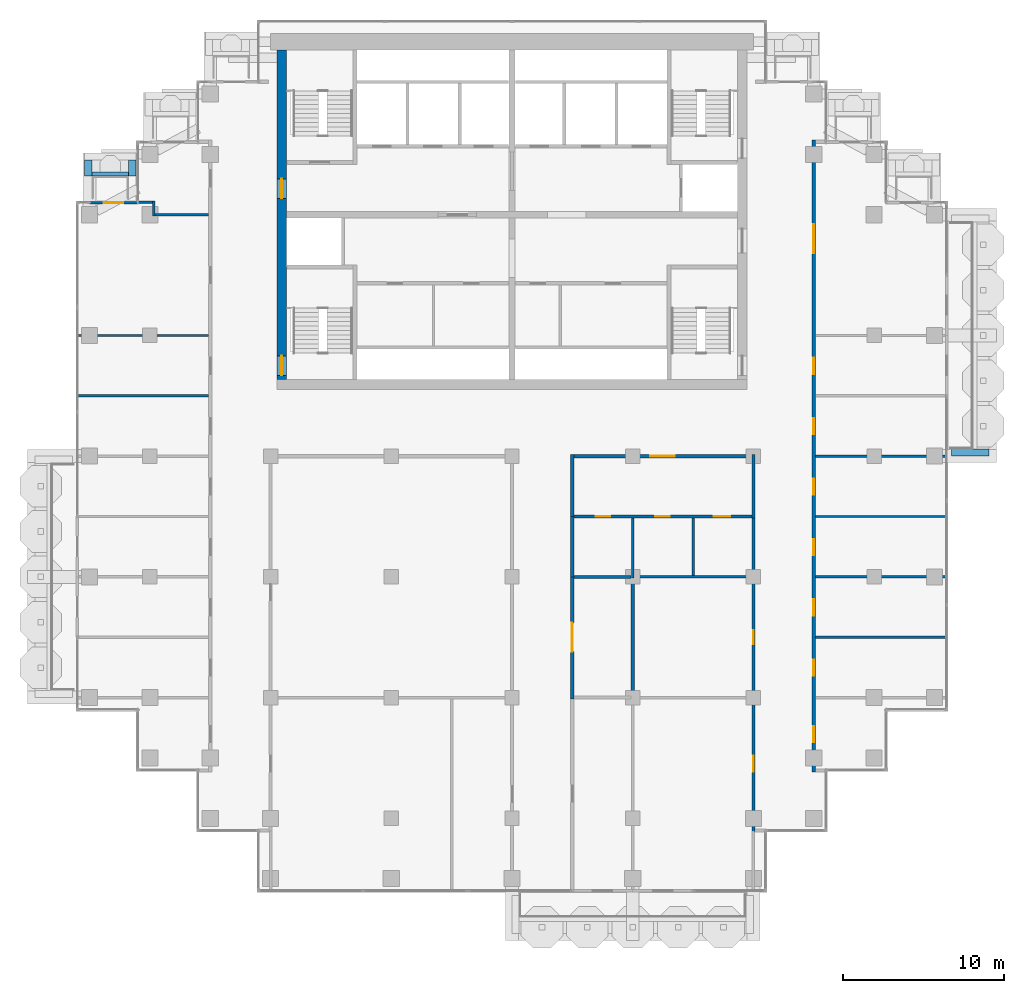
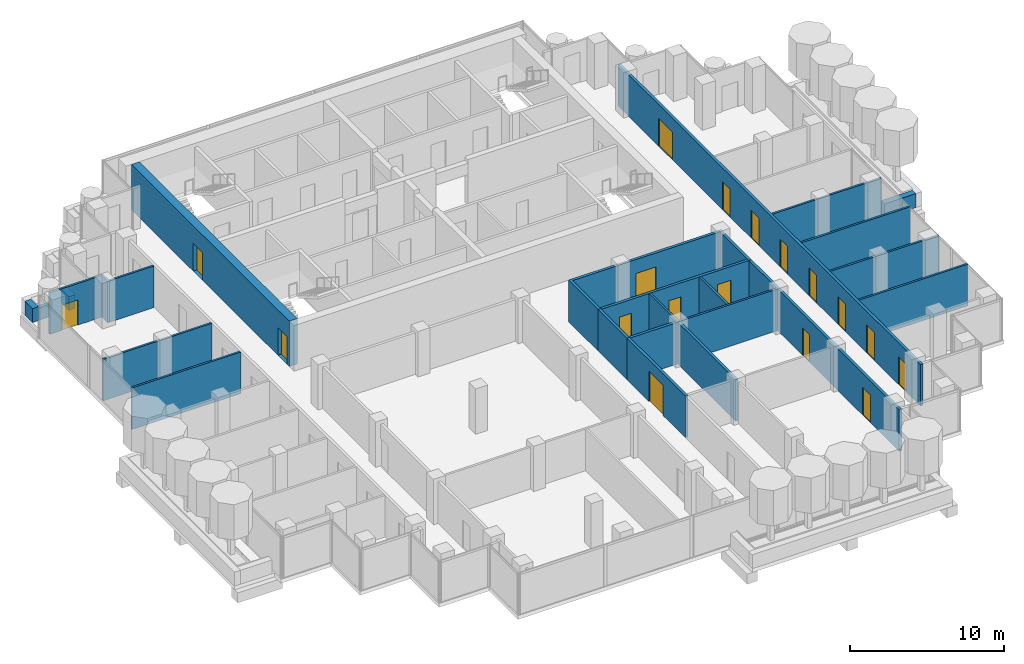
# One storey, part 12 of 19: 28 walls, 18 doors, 18 openings.
"""IFC4 building model written with IfcOpenShell, lengths in metres."""

from ifc_helpers import new_model, si_unit, direction, frame, frame_2d, origin, place, context, subcontext, project, spatial, rectangle, extrude, material, layer, layer_set, type_object, element, fill, save


model = new_model("IFC4")

# Units and contexts
model_context = context("Model", 3, precision=1e-05, world=origin(), true_north=direction((0.0, 1.0)))
body_context = subcontext(model_context, "Body", "Model", "MODEL_VIEW")
ifc_project = project(units=[si_unit("LENGTHUNIT", "METRE"), si_unit("AREAUNIT", "SQUARE_METRE"), si_unit("VOLUMEUNIT", "CUBIC_METRE"), si_unit("PLANEANGLEUNIT", "RADIAN"), si_unit("MASSUNIT", "GRAM", prefix="KILO")], contexts=[model_context])

# Site, building, storey
site_placement = place(None, origin())
site = spatial("IfcSite", under=ifc_project, at=site_placement, CompositionType="ELEMENT")
building_placement = place(site_placement, origin())
building = spatial("IfcBuilding", under=site, at=building_placement, Name="Pilkhan Gate Tower", CompositionType="ELEMENT")
storey_placement = place(building_placement, frame((0.0, 0.0, 217.5)))
storey = spatial("IfcBuildingStorey", under=building, at=storey_placement, Name="L56", CompositionType="ELEMENT", Elevation=217.5)

# Walls
ifc_material_1 = material(Name="Concrete C40/50", Category="concrete")
ifc_layer_1 = layer(ifc_material_1, 0.25)
ifc_layer_set_1 = layer_set([ifc_layer_1], Name="Balcony planter BP250")
wall_type_1 = type_object("IfcWallType", Name="Balcony planter BP250", PredefinedType="USERDEFINED", material=ifc_layer_set_1)
wall_1_placement = place(storey_placement, frame((48.89990234375, 85.02490234375, 0.0), z_axis=(0.0, 0.0, 1.0), x_axis=(1.0, 0.0, 0.0)))
element("IfcWall", 1, at=wall_1_placement, inside=storey, type_object=wall_type_1, Name="Balcony planter L56 N", ObjectType="BALCONY PLANTER", PredefinedType="USERDEFINED", context=body_context, shape_type="SweptSolid", body=[
    extrude(rectangle(XDim=2.280029296875, YDim=0.25, at=frame_2d((1.14013671875, 0.0))), origin(), (0.0, 0.0, 1.0), 1.0),
])
ifc_material_2 = material(Name="Board-marked Concrete C40/50", Category="concrete")
ifc_layer_2 = layer(ifc_material_2, 0.449951171875)
ifc_layer_set_2 = layer_set([ifc_layer_2], Name="Balcony planter lip BL450")
wall_type_2 = type_object("IfcWallType", Name="Balcony planter lip BL450", PredefinedType="USERDEFINED", material=ifc_layer_set_2)
wall_2_placement = place(storey_placement, frame((102.300048828125, 67.72509765625, 0.0), z_axis=(0.0, 0.0, 1.0), x_axis=(1.0, 0.0, 0.0)))
element("IfcWall", 2, at=wall_2_placement, inside=storey, type_object=wall_type_2, Name="Balcony planter L56 E", ObjectType="BALCONY PLANTER", PredefinedType="USERDEFINED", context=body_context, shape_type="SweptSolid", body=[
    extrude(rectangle(XDim=2.349853515625, YDim=0.449951171875, at=frame_2d((1.1748046875, 0.0))), origin(), (0.0, 0.0, 1.0), 1.10009765625),
])
for number, where, z_axis, x_axis, name in (
    (3, (48.675048828125, 84.89990234375, 0.0), (0.0, 0.0, 1.0), (0.0, 1.0, 0.0), "Balcony planter L56 N"),
    (4, (51.405029296875, 84.89990234375, 0.0), (0.0, 0.0, 1.0), (0.0, 1.0, 0.0), "Balcony planter L56 N"),
):
    element("IfcWall", number, at=place(storey_placement, frame(where, z_axis=z_axis, x_axis=x_axis)), inside=storey, type_object=wall_type_2, Name=name, ObjectType="BALCONY PLANTER", PredefinedType="USERDEFINED", context=body_context, shape_type="SweptSolid", body=[
        extrude(rectangle(XDim=1.0, YDim=0.449951171875, at=frame_2d((0.5, 0.0))), origin(), (0.0, 0.0, 1.0), 1.10009765625),
    ])

# Wall, openings, doors
ifc_material_3 = material(Name="Concrete C50/60", Category="concrete")
ifc_layer_3 = layer(ifc_material_3, 0.60009765625)
ifc_layer_set_3 = layer_set([ifc_layer_3], Name="Core wall CW600 C50/60")
wall_type_3 = type_object("IfcWallType", Name="Core wall CW600 C50/60", PredefinedType="SHEAR", material=ifc_layer_set_3)
wall_3_placement = place(storey_placement, frame((60.699951171875, 92.75, 0.0), z_axis=(0.0, 0.0, 1.0), x_axis=(0.0, -1.0, 0.0)))
wall_3 = element("IfcWall", 5, at=wall_3_placement, inside=storey, type_object=wall_type_3, Name="Core wall W L56", PredefinedType="SHEAR", context=body_context, shape_type="SweptSolid", body=[
    extrude(rectangle(XDim=20.5, YDim=0.60009765625, at=frame_2d((10.25, 0.0))), origin(), (0.0, 0.0, 1.0), 3.60009765625),
])
opening_1_placement = place(wall_3_placement, frame((19.02490234375, 0.0, 0.0)))
opening_1 = element("IfcOpeningElement", 6, at=opening_1_placement, cuts=wall_3, Name="Opening L56-04", PredefinedType="OPENING", context=body_context, shape_type="SweptSolid", body=[
    extrude(rectangle(XDim=1.199951171875, YDim=2.199951171875, at=frame_2d((0.60009765625, 1.10009765625))), frame((0.0, 0.31005859375, 0.0), z_axis=(0.0, -1.0, 0.0), x_axis=(1.0, 0.0, 0.0)), (0.0, 0.0, 1.0), 0.6201171875),
])
opening_2_placement = place(wall_3_placement, frame((8.02490234375, 0.0, 0.0)))
opening_2 = element("IfcOpeningElement", 7, at=opening_2_placement, cuts=wall_3, Name="Opening L56-07", PredefinedType="OPENING", context=body_context, shape_type="SweptSolid", body=[
    extrude(rectangle(XDim=1.199951171875, YDim=2.199951171875, at=frame_2d((0.60009765625, 1.10009765625))), frame((0.0, 0.31005859375, 0.0), z_axis=(0.0, -1.0, 0.0), x_axis=(1.0, 0.0, 0.0)), (0.0, 0.0, 1.0), 0.6201171875),
])
ifc_material_4 = material(Name="Steel door, 120 minute fire resisting, self-closing", Category="steel")
door_type_1 = type_object("IfcDoorType", Name="Firefighting lobby door D10 1200x2200", OperationType="SINGLE_SWING_LEFT", PredefinedType="DOOR", material=ifc_material_4)
door_1_placement = place(opening_2_placement, origin())
door_1 = element("IfcDoor", 8, at=door_1_placement, inside=storey, type_object=door_type_1, Name="Core door", OperationType="SINGLE_SWING_RIGHT", OverallHeight=2.199951171875, OverallWidth=1.199951171875, PredefinedType="DOOR", context=body_context, shape_type="SweptSolid", body=[
    extrude(rectangle(XDim=1.199951171875, YDim=2.199951171875, at=frame_2d((0.60009765625, 1.10009765625))), frame((0.0, 0.02490234375, 0.0), z_axis=(0.0, -1.0, 0.0), x_axis=(1.0, 0.0, 0.0)), (0.0, 0.0, 1.0), 0.050048828125),
])
fill(opening_2, door_1)
ifc_material_5 = material(Name="Steel door, 120 minute fire resisting, panic bar", Category="steel")
door_type_2 = type_object("IfcDoorType", Name="Stair door D11 1200x2200", OperationType="SINGLE_SWING_LEFT", PredefinedType="DOOR", material=ifc_material_5)
door_2_placement = place(opening_1_placement, origin())
door_2 = element("IfcDoor", 9, at=door_2_placement, inside=storey, type_object=door_type_2, Name="Stair ST2 door", OperationType="SINGLE_SWING_LEFT", OverallHeight=2.199951171875, OverallWidth=1.199951171875, PredefinedType="DOOR", context=body_context, shape_type="SweptSolid", body=[
    extrude(rectangle(XDim=1.199951171875, YDim=2.199951171875, at=frame_2d((0.60009765625, 1.10009765625))), frame((0.0, 0.02490234375, 0.0), z_axis=(0.0, -1.0, 0.0), x_axis=(1.0, 0.0, 0.0)), (0.0, 0.0, 1.0), 0.050048828125),
])
fill(opening_1, door_2)

# Wall
ifc_material_6 = material(Name="Dense blockwork", Category="masonry")
ifc_layer_4 = layer(ifc_material_6, 0.199951171875)
ifc_layer_set_4 = layer_set([ifc_layer_4], Name="Corridor wall FW200")
wall_type_4 = type_object("IfcWallType", Name="Corridor wall FW200", PredefinedType="PARTITIONING", material=ifc_layer_set_4)
wall_4_placement = place(storey_placement, frame((78.75, 60.0, 0.0), z_axis=(0.0, 0.0, 1.0), x_axis=(0.0, 1.0, 0.0)))
element("IfcWall", 10, at=wall_4_placement, inside=storey, type_object=wall_type_4, Name="Partition L56", PredefinedType="PARTITIONING", context=body_context, shape_type="SweptSolid", body=[
    extrude(rectangle(XDim=3.75, YDim=0.199951171875, at=frame_2d((1.875, 0.0))), origin(), (0.0, 0.0, 1.0), 3.300048828125),
])

# Wall, openings, doors
wall_5_placement = place(storey_placement, frame((90.0, 44.135009765625, 0.0), z_axis=(0.0, 0.0, 1.0), x_axis=(0.0, 1.0, 0.0)))
wall_5 = element("IfcWall", 11, at=wall_5_placement, inside=storey, type_object=wall_type_4, Name="Partition L56", PredefinedType="PARTITIONING", context=body_context, shape_type="SweptSolid", body=[
    extrude(rectangle(XDim=19.614990234375, YDim=0.199951171875, at=frame_2d((9.8076171875, 0.0))), origin(), (0.0, 0.0, 1.0), 3.300048828125),
])
opening_3_placement = place(wall_5_placement, frame((3.75, 0.0, 0.0)))
opening_3 = element("IfcOpeningElement", 12, at=opening_3_placement, cuts=wall_5, Name="Opening L56-20", PredefinedType="OPENING", context=body_context, shape_type="SweptSolid", body=[
    extrude(rectangle(XDim=1.0, YDim=2.199951171875, at=frame_2d((0.5, 1.10009765625))), frame((0.0, 0.10986328125, 0.0), z_axis=(0.0, -1.0, 0.0), x_axis=(1.0, 0.0, 0.0)), (0.0, 0.0, 1.0), 0.219970703125),
])
opening_4_placement = place(wall_5_placement, frame((11.6650390625, 0.0, 0.0)))
opening_4 = element("IfcOpeningElement", 13, at=opening_4_placement, cuts=wall_5, Name="Opening L56-22", PredefinedType="OPENING", context=body_context, shape_type="SweptSolid", body=[
    extrude(rectangle(XDim=0.89990234375, YDim=2.199951171875, at=frame_2d((0.449951171875, 1.10009765625))), frame((0.0, 0.10986328125, 0.0), z_axis=(0.0, -1.0, 0.0), x_axis=(1.0, 0.0, 0.0)), (0.0, 0.0, 1.0), 0.219970703125),
])
ifc_material_7 = material(Name="Timber flush door, 30 minute fire resisting", Category="wood")
door_type_3 = type_object("IfcDoorType", Name="Room door D03 1000x2200", OperationType="SINGLE_SWING_LEFT", PredefinedType="DOOR", material=ifc_material_7)
door_3_placement = place(opening_3_placement, origin())
door_3 = element("IfcDoor", 14, at=door_3_placement, inside=storey, type_object=door_type_3, Name="Room door", OperationType="SINGLE_SWING_LEFT", OverallHeight=2.199951171875, OverallWidth=1.0, PredefinedType="DOOR", context=body_context, shape_type="SweptSolid", body=[
    extrude(rectangle(XDim=1.0, YDim=2.199951171875, at=frame_2d((0.5, 1.10009765625))), frame((0.0, 0.02490234375, 0.0), z_axis=(0.0, -1.0, 0.0), x_axis=(1.0, 0.0, 0.0)), (0.0, 0.0, 1.0), 0.050048828125),
])
fill(opening_3, door_3)
ifc_material_8 = material(Name="Timber flush door, 60 minute fire resisting, self-closing", Category="wood")
door_type_4 = type_object("IfcDoorType", Name="Store door D05 900x2200", OperationType="SINGLE_SWING_LEFT", PredefinedType="DOOR", material=ifc_material_8)
door_4_placement = place(opening_4_placement, origin())
door_4 = element("IfcDoor", 15, at=door_4_placement, inside=storey, type_object=door_type_4, Name="Store door", OperationType="SINGLE_SWING_LEFT", OverallHeight=2.199951171875, OverallWidth=0.89990234375, PredefinedType="DOOR", context=body_context, shape_type="SweptSolid", body=[
    extrude(rectangle(XDim=0.89990234375, YDim=2.199951171875, at=frame_2d((0.449951171875, 1.10009765625))), frame((0.0, 0.02490234375, 0.0), z_axis=(0.0, -1.0, 0.0), x_axis=(1.0, 0.0, 0.0)), (0.0, 0.0, 1.0), 0.050048828125),
])
fill(opening_4, door_4)

wall_6_placement = place(storey_placement, frame((93.75, 47.8701171875, 0.0), z_axis=(0.0, 0.0, 1.0), x_axis=(0.0, 1.0, 0.0)))
wall_6 = element("IfcWall", 16, at=wall_6_placement, inside=storey, type_object=wall_type_4, Name="Partition L56", PredefinedType="PARTITIONING", context=body_context, shape_type="SweptSolid", body=[
    extrude(rectangle(XDim=39.259765625, YDim=0.199951171875, at=frame_2d((19.6298828125, 0.0))), origin(), (0.0, 0.0, 1.0), 3.300048828125),
])
opening_5_placement = place(wall_6_placement, frame((1.85009765625, 0.0, 0.0)))
opening_5 = element("IfcOpeningElement", 17, at=opening_5_placement, cuts=wall_6, Name="Opening L56-30", PredefinedType="OPENING", context=body_context, shape_type="SweptSolid", body=[
    extrude(rectangle(XDim=1.0, YDim=2.199951171875, at=frame_2d((0.5, 1.10009765625))), frame((0.0, 0.10986328125, 0.0), z_axis=(0.0, -1.0, 0.0), x_axis=(1.0, 0.0, 0.0)), (0.0, 0.0, 1.0), 0.219970703125),
])
opening_6_placement = place(wall_6_placement, frame((5.97998046875, 0.0, 0.0)))
opening_6 = element("IfcOpeningElement", 18, at=opening_6_placement, cuts=wall_6, Name="Opening L56-31", PredefinedType="OPENING", context=body_context, shape_type="SweptSolid", body=[
    extrude(rectangle(XDim=1.0, YDim=2.199951171875, at=frame_2d((0.5, 1.10009765625))), frame((0.0, 0.10986328125, 0.0), z_axis=(0.0, -1.0, 0.0), x_axis=(1.0, 0.0, 0.0)), (0.0, 0.0, 1.0), 0.219970703125),
])
opening_7_placement = place(wall_6_placement, frame((9.72998046875, 0.0, 0.0)))
opening_7 = element("IfcOpeningElement", 19, at=opening_7_placement, cuts=wall_6, Name="Opening L56-32", PredefinedType="OPENING", context=body_context, shape_type="SweptSolid", body=[
    extrude(rectangle(XDim=1.0, YDim=2.199951171875, at=frame_2d((0.5, 1.10009765625))), frame((0.0, 0.10986328125, 0.0), z_axis=(0.0, -1.0, 0.0), x_axis=(1.0, 0.0, 0.0)), (0.0, 0.0, 1.0), 0.219970703125),
])
opening_8_placement = place(wall_6_placement, frame((13.47998046875, 0.0, 0.0)))
opening_8 = element("IfcOpeningElement", 20, at=opening_8_placement, cuts=wall_6, Name="Opening L56-33", PredefinedType="OPENING", context=body_context, shape_type="SweptSolid", body=[
    extrude(rectangle(XDim=1.0, YDim=2.199951171875, at=frame_2d((0.5, 1.10009765625))), frame((0.0, 0.10986328125, 0.0), z_axis=(0.0, -1.0, 0.0), x_axis=(1.0, 0.0, 0.0)), (0.0, 0.0, 1.0), 0.219970703125),
])
opening_9_placement = place(wall_6_placement, frame((17.22998046875, 0.0, 0.0)))
opening_9 = element("IfcOpeningElement", 21, at=opening_9_placement, cuts=wall_6, Name="Opening L56-34", PredefinedType="OPENING", context=body_context, shape_type="SweptSolid", body=[
    extrude(rectangle(XDim=1.0, YDim=2.199951171875, at=frame_2d((0.5, 1.10009765625))), frame((0.0, 0.10986328125, 0.0), z_axis=(0.0, -1.0, 0.0), x_axis=(1.0, 0.0, 0.0)), (0.0, 0.0, 1.0), 0.219970703125),
])
opening_10_placement = place(wall_6_placement, frame((20.97998046875, 0.0, 0.0)))
opening_10 = element("IfcOpeningElement", 22, at=opening_10_placement, cuts=wall_6, Name="Opening L56-35", PredefinedType="OPENING", context=body_context, shape_type="SweptSolid", body=[
    extrude(rectangle(XDim=1.0, YDim=2.199951171875, at=frame_2d((0.5, 1.10009765625))), frame((0.0, 0.10986328125, 0.0), z_axis=(0.0, -1.0, 0.0), x_axis=(1.0, 0.0, 0.0)), (0.0, 0.0, 1.0), 0.219970703125),
])
opening_11_placement = place(wall_6_placement, frame((24.72998046875, 0.0, 0.0)))
opening_11 = element("IfcOpeningElement", 23, at=opening_11_placement, cuts=wall_6, Name="Opening L56-36", PredefinedType="OPENING", context=body_context, shape_type="SweptSolid", body=[
    extrude(rectangle(XDim=1.0, YDim=2.199951171875, at=frame_2d((0.5, 1.10009765625))), frame((0.0, 0.10986328125, 0.0), z_axis=(0.0, -1.0, 0.0), x_axis=(1.0, 0.0, 0.0)), (0.0, 0.0, 1.0), 0.219970703125),
])
opening_12_placement = place(wall_6_placement, frame((32.22998046875, 0.0, 0.0)))
opening_12 = element("IfcOpeningElement", 24, at=opening_12_placement, cuts=wall_6, Name="Opening L56-39", PredefinedType="OPENING", context=body_context, shape_type="SweptSolid", body=[
    extrude(rectangle(XDim=1.800048828125, YDim=2.199951171875, at=frame_2d((0.89990234375, 1.10009765625))), frame((0.0, 0.10986328125, 0.0), z_axis=(0.0, -1.0, 0.0), x_axis=(1.0, 0.0, 0.0)), (0.0, 0.0, 1.0), 0.219970703125),
])
ifc_material_9 = material(Name="Timber glazed double door, 30 minute fire resisting", Category="wood")
door_type_5 = type_object("IfcDoorType", Name="Double door D04 1800x2200", OperationType="DOUBLE_DOOR_SINGLE_SWING", PredefinedType="DOOR", material=ifc_material_9)
door_5_placement = place(opening_12_placement, origin())
door_5 = element("IfcDoor", 25, at=door_5_placement, inside=storey, type_object=door_type_5, Name="Double door", OperationType="DOUBLE_DOOR_SINGLE_SWING", OverallHeight=2.199951171875, OverallWidth=1.800048828125, PredefinedType="DOOR", context=body_context, shape_type="SweptSolid", body=[
    extrude(rectangle(XDim=1.800048828125, YDim=2.199951171875, at=frame_2d((0.89990234375, 1.10009765625))), frame((0.0, 0.02490234375, 0.0), z_axis=(0.0, -1.0, 0.0), x_axis=(1.0, 0.0, 0.0)), (0.0, 0.0, 1.0), 0.050048828125),
])
fill(opening_12, door_5)
door_6_placement = place(opening_5_placement, origin())
door_6 = element("IfcDoor", 26, at=door_6_placement, inside=storey, type_object=door_type_3, Name="Room door", OperationType="SINGLE_SWING_LEFT", OverallHeight=2.199951171875, OverallWidth=1.0, PredefinedType="DOOR", context=body_context, shape_type="SweptSolid", body=[
    extrude(rectangle(XDim=1.0, YDim=2.199951171875, at=frame_2d((0.5, 1.10009765625))), frame((0.0, 0.02490234375, 0.0), z_axis=(0.0, -1.0, 0.0), x_axis=(1.0, 0.0, 0.0)), (0.0, 0.0, 1.0), 0.050048828125),
])
fill(opening_5, door_6)
door_7_placement = place(opening_6_placement, origin())
door_7 = element("IfcDoor", 27, at=door_7_placement, inside=storey, type_object=door_type_3, Name="Room door", OperationType="SINGLE_SWING_LEFT", OverallHeight=2.199951171875, OverallWidth=1.0, PredefinedType="DOOR", context=body_context, shape_type="SweptSolid", body=[
    extrude(rectangle(XDim=1.0, YDim=2.199951171875, at=frame_2d((0.5, 1.10009765625))), frame((0.0, 0.02490234375, 0.0), z_axis=(0.0, -1.0, 0.0), x_axis=(1.0, 0.0, 0.0)), (0.0, 0.0, 1.0), 0.050048828125),
])
fill(opening_6, door_7)
door_8_placement = place(opening_7_placement, origin())
door_8 = element("IfcDoor", 28, at=door_8_placement, inside=storey, type_object=door_type_3, Name="Room door", OperationType="SINGLE_SWING_RIGHT", OverallHeight=2.199951171875, OverallWidth=1.0, PredefinedType="DOOR", context=body_context, shape_type="SweptSolid", body=[
    extrude(rectangle(XDim=1.0, YDim=2.199951171875, at=frame_2d((0.5, 1.10009765625))), frame((0.0, 0.02490234375, 0.0), z_axis=(0.0, -1.0, 0.0), x_axis=(1.0, 0.0, 0.0)), (0.0, 0.0, 1.0), 0.050048828125),
])
fill(opening_7, door_8)
door_9_placement = place(opening_8_placement, origin())
door_9 = element("IfcDoor", 29, at=door_9_placement, inside=storey, type_object=door_type_3, Name="Room door", OperationType="SINGLE_SWING_LEFT", OverallHeight=2.199951171875, OverallWidth=1.0, PredefinedType="DOOR", context=body_context, shape_type="SweptSolid", body=[
    extrude(rectangle(XDim=1.0, YDim=2.199951171875, at=frame_2d((0.5, 1.10009765625))), frame((0.0, 0.02490234375, 0.0), z_axis=(0.0, -1.0, 0.0), x_axis=(1.0, 0.0, 0.0)), (0.0, 0.0, 1.0), 0.050048828125),
])
fill(opening_8, door_9)
door_10_placement = place(opening_9_placement, origin())
door_10 = element("IfcDoor", 30, at=door_10_placement, inside=storey, type_object=door_type_3, Name="Room door", OperationType="SINGLE_SWING_LEFT", OverallHeight=2.199951171875, OverallWidth=1.0, PredefinedType="DOOR", context=body_context, shape_type="SweptSolid", body=[
    extrude(rectangle(XDim=1.0, YDim=2.199951171875, at=frame_2d((0.5, 1.10009765625))), frame((0.0, 0.02490234375, 0.0), z_axis=(0.0, -1.0, 0.0), x_axis=(1.0, 0.0, 0.0)), (0.0, 0.0, 1.0), 0.050048828125),
])
fill(opening_9, door_10)
door_11_placement = place(opening_10_placement, origin())
door_11 = element("IfcDoor", 31, at=door_11_placement, inside=storey, type_object=door_type_3, Name="Room door", OperationType="SINGLE_SWING_RIGHT", OverallHeight=2.199951171875, OverallWidth=1.0, PredefinedType="DOOR", context=body_context, shape_type="SweptSolid", body=[
    extrude(rectangle(XDim=1.0, YDim=2.199951171875, at=frame_2d((0.5, 1.10009765625))), frame((0.0, 0.02490234375, 0.0), z_axis=(0.0, -1.0, 0.0), x_axis=(1.0, 0.0, 0.0)), (0.0, 0.0, 1.0), 0.050048828125),
])
fill(opening_10, door_11)
door_12_placement = place(opening_11_placement, origin())
door_12 = element("IfcDoor", 32, at=door_12_placement, inside=storey, type_object=door_type_3, Name="Room door", OperationType="SINGLE_SWING_LEFT", OverallHeight=2.199951171875, OverallWidth=1.0, PredefinedType="DOOR", context=body_context, shape_type="SweptSolid", body=[
    extrude(rectangle(XDim=1.0, YDim=2.199951171875, at=frame_2d((0.5, 1.10009765625))), frame((0.0, 0.02490234375, 0.0), z_axis=(0.0, -1.0, 0.0), x_axis=(1.0, 0.0, 0.0)), (0.0, 0.0, 1.0), 0.050048828125),
])
fill(opening_11, door_12)

# Wall, opening, door
ifc_material_10 = material(Name="Pale anodised aluminium, clear laminated glazing", Category="aluminium")
ifc_layer_5 = layer(ifc_material_10, 0.14990234375)
ifc_layer_set_5 = layer_set([ifc_layer_5], Name="Facade infill wall IW150")
wall_type_5 = type_object("IfcWallType", Name="Facade infill wall IW150", PredefinedType="SOLIDWALL", material=ifc_layer_set_5)
wall_7_placement = place(storey_placement, frame((48.75, 83.25, 0.0), z_axis=(0.0, 0.0, 1.0), x_axis=(1.0, 0.0, 0.0)))
wall_7 = element("IfcWall", 33, at=wall_7_placement, inside=storey, type_object=wall_type_5, Name="Infill wall L56 N", PredefinedType="SOLIDWALL", context=body_context, shape_type="SweptSolid", body=[
    extrude(rectangle(XDim=3.0, YDim=0.14990234375, at=frame_2d((1.5, 0.0))), origin(), (0.0, 0.0, 1.0), 3.300048828125),
])
opening_13_placement = place(wall_7_placement, frame((0.89990234375, 0.0, 0.0)))
opening_13 = element("IfcOpeningElement", 34, at=opening_13_placement, cuts=wall_7, Name="Opening D1L", PredefinedType="OPENING", context=body_context, shape_type="SweptSolid", body=[
    extrude(rectangle(XDim=1.199951171875, YDim=2.0, at=frame_2d((0.60009765625, 1.0))), frame((0.0, 0.0849609375, 0.0), z_axis=(0.0, -1.0, 0.0), x_axis=(1.0, 0.0, 0.0)), (0.0, 0.0, 1.0), 0.169921875),
])
ifc_material_11 = material(Name="Pale anodised aluminium, clear glazing", Category="aluminium")
door_type_6 = type_object("IfcDoorType", Name="Balcony door D1L 1200x2000", OperationType="SINGLE_SWING_LEFT", PredefinedType="DOOR", material=ifc_material_11)
door_13_placement = place(opening_13_placement, origin())
door_13 = element("IfcDoor", 35, at=door_13_placement, inside=storey, type_object=door_type_6, Name="Balcony door L56", OperationType="SINGLE_SWING_LEFT", OverallHeight=2.0, OverallWidth=1.199951171875, PredefinedType="DOOR", context=body_context, shape_type="SweptSolid", body=[
    extrude(rectangle(XDim=1.199951171875, YDim=2.0, at=frame_2d((0.60009765625, 1.0))), frame((0.0, 0.02490234375, 0.0), z_axis=(0.0, -1.0, 0.0), x_axis=(1.0, 0.0, 0.0)), (0.0, 0.0, 1.0), 0.050048828125),
])
fill(opening_13, door_13)

# Wall
ifc_layer_6 = layer(ifc_material_6, 0.199951171875)
ifc_layer_set_6 = layer_set([ifc_layer_6], Name="Lobby wall LW200")
wall_type_6 = type_object("IfcWallType", Name="Lobby wall LW200", PredefinedType="PARTITIONING", material=ifc_layer_set_6)
wall_8_placement = place(storey_placement, frame((78.85009765625, 60.0, 0.0), z_axis=(0.0, 0.0, 1.0), x_axis=(1.0, 0.0, 0.0)))
element("IfcWall", 36, at=wall_8_placement, inside=storey, type_object=wall_type_6, Name="Partition L56", PredefinedType="PARTITIONING", context=body_context, shape_type="SweptSolid", body=[
    extrude(rectangle(XDim=3.5498046875, YDim=0.199951171875, at=frame_2d((1.77490234375, 0.0))), origin(), (0.0, 0.0, 1.0), 3.300048828125),
])

# Wall, openings, doors
wall_9_placement = place(storey_placement, frame((78.85009765625, 63.75, 0.0), z_axis=(0.0, 0.0, 1.0), x_axis=(1.0, 0.0, 0.0)))
wall_9 = element("IfcWall", 37, at=wall_9_placement, inside=storey, type_object=wall_type_6, Name="Partition L56", PredefinedType="PARTITIONING", context=body_context, shape_type="SweptSolid", body=[
    extrude(rectangle(XDim=11.0498046875, YDim=0.199951171875, at=frame_2d((5.52490234375, 0.0))), origin(), (0.0, 0.0, 1.0), 3.300048828125),
])
opening_14_placement = place(wall_9_placement, frame((1.35009765625, 0.0, 0.0)))
opening_14 = element("IfcOpeningElement", 38, at=opening_14_placement, cuts=wall_9, Name="Opening L56-13", PredefinedType="OPENING", context=body_context, shape_type="SweptSolid", body=[
    extrude(rectangle(XDim=0.89990234375, YDim=2.199951171875, at=frame_2d((0.449951171875, 1.10009765625))), frame((0.0, 0.10986328125, 0.0), z_axis=(0.0, -1.0, 0.0), x_axis=(1.0, 0.0, 0.0)), (0.0, 0.0, 1.0), 0.219970703125),
])
opening_15_placement = place(wall_9_placement, frame((5.050048828125, 0.0, 0.0)))
opening_15 = element("IfcOpeningElement", 39, at=opening_15_placement, cuts=wall_9, Name="Opening L56-14", PredefinedType="OPENING", context=body_context, shape_type="SweptSolid", body=[
    extrude(rectangle(XDim=0.89990234375, YDim=2.199951171875, at=frame_2d((0.449951171875, 1.10009765625))), frame((0.0, 0.10986328125, 0.0), z_axis=(0.0, -1.0, 0.0), x_axis=(1.0, 0.0, 0.0)), (0.0, 0.0, 1.0), 0.219970703125),
])
opening_16_placement = place(wall_9_placement, frame((8.699951171875, 0.0, 0.0)))
opening_16 = element("IfcOpeningElement", 40, at=opening_16_placement, cuts=wall_9, Name="Opening L56-15", PredefinedType="OPENING", context=body_context, shape_type="SweptSolid", body=[
    extrude(rectangle(XDim=1.0, YDim=2.199951171875, at=frame_2d((0.5, 1.10009765625))), frame((0.0, 0.10986328125, 0.0), z_axis=(0.0, -1.0, 0.0), x_axis=(1.0, 0.0, 0.0)), (0.0, 0.0, 1.0), 0.219970703125),
])
ifc_material_12 = material(Name="Timber flush door, outward opening, 30 minute fire resisting", Category="wood")
door_type_7 = type_object("IfcDoorType", Name="Accessible toilet door D07 1000x2200", OperationType="SINGLE_SWING_LEFT", PredefinedType="DOOR", material=ifc_material_12)
door_14_placement = place(opening_16_placement, origin())
door_14 = element("IfcDoor", 41, at=door_14_placement, inside=storey, type_object=door_type_7, Name="Accessible toilet door", OperationType="SINGLE_SWING_LEFT", OverallHeight=2.199951171875, OverallWidth=1.0, PredefinedType="DOOR", context=body_context, shape_type="SweptSolid", body=[
    extrude(rectangle(XDim=1.0, YDim=2.199951171875, at=frame_2d((0.5, 1.10009765625))), frame((0.0, 0.02490234375, 0.0), z_axis=(0.0, -1.0, 0.0), x_axis=(1.0, 0.0, 0.0)), (0.0, 0.0, 1.0), 0.050048828125),
])
fill(opening_16, door_14)
door_type_8 = type_object("IfcDoorType", Name="Toilet door D06 900x2200", OperationType="SINGLE_SWING_LEFT", PredefinedType="DOOR", material=ifc_material_7)
door_15_placement = place(opening_14_placement, origin())
door_15 = element("IfcDoor", 42, at=door_15_placement, inside=storey, type_object=door_type_8, Name="Toilet door", OperationType="SINGLE_SWING_LEFT", OverallHeight=2.199951171875, OverallWidth=0.89990234375, PredefinedType="DOOR", context=body_context, shape_type="SweptSolid", body=[
    extrude(rectangle(XDim=0.89990234375, YDim=2.199951171875, at=frame_2d((0.449951171875, 1.10009765625))), frame((0.0, 0.02490234375, 0.0), z_axis=(0.0, -1.0, 0.0), x_axis=(1.0, 0.0, 0.0)), (0.0, 0.0, 1.0), 0.050048828125),
])
fill(opening_14, door_15)
door_16_placement = place(opening_15_placement, origin())
door_16 = element("IfcDoor", 43, at=door_16_placement, inside=storey, type_object=door_type_8, Name="Toilet door", OperationType="SINGLE_SWING_LEFT", OverallHeight=2.199951171875, OverallWidth=0.89990234375, PredefinedType="DOOR", context=body_context, shape_type="SweptSolid", body=[
    extrude(rectangle(XDim=0.89990234375, YDim=2.199951171875, at=frame_2d((0.449951171875, 1.10009765625))), frame((0.0, 0.02490234375, 0.0), z_axis=(0.0, -1.0, 0.0), x_axis=(1.0, 0.0, 0.0)), (0.0, 0.0, 1.0), 0.050048828125),
])
fill(opening_15, door_16)

# Wall, opening, door
wall_10_placement = place(storey_placement, frame((78.85009765625, 67.5, 0.0), z_axis=(0.0, 0.0, 1.0), x_axis=(1.0, 0.0, 0.0)))
wall_10 = element("IfcWall", 44, at=wall_10_placement, inside=storey, type_object=wall_type_6, Name="Partition L56", PredefinedType="PARTITIONING", context=body_context, shape_type="SweptSolid", body=[
    extrude(rectangle(XDim=11.0498046875, YDim=0.199951171875, at=frame_2d((5.52490234375, 0.0))), origin(), (0.0, 0.0, 1.0), 3.300048828125),
])
opening_17_placement = place(wall_10_placement, frame((4.75, 0.0, 0.0)))
opening_17 = element("IfcOpeningElement", 45, at=opening_17_placement, cuts=wall_10, Name="Opening L56-12", PredefinedType="OPENING", context=body_context, shape_type="SweptSolid", body=[
    extrude(rectangle(XDim=1.5, YDim=2.199951171875, at=frame_2d((0.75, 1.10009765625))), frame((0.0, 0.10986328125, 0.0), z_axis=(0.0, -1.0, 0.0), x_axis=(1.0, 0.0, 0.0)), (0.0, 0.0, 1.0), 0.219970703125),
])
ifc_material_13 = material(Name="Steel framed glazed door, 60 minute fire resisting", Category="steel")
door_type_9 = type_object("IfcDoorType", Name="Lobby door D09 1500x2200", OperationType="DOUBLE_DOOR_SINGLE_SWING", PredefinedType="DOOR", material=ifc_material_13)
door_17_placement = place(opening_17_placement, origin())
door_17 = element("IfcDoor", 46, at=door_17_placement, inside=storey, type_object=door_type_9, Name="Lobby door", OperationType="DOUBLE_DOOR_SINGLE_SWING", OverallHeight=2.199951171875, OverallWidth=1.5, PredefinedType="DOOR", context=body_context, shape_type="SweptSolid", body=[
    extrude(rectangle(XDim=1.5, YDim=2.199951171875, at=frame_2d((0.75, 1.10009765625))), frame((0.0, 0.02490234375, 0.0), z_axis=(0.0, -1.0, 0.0), x_axis=(1.0, 0.0, 0.0)), (0.0, 0.0, 1.0), 0.050048828125),
])
fill(opening_17, door_17)

wall_11_placement = place(storey_placement, frame((78.75, 52.39990234375, 0.0), z_axis=(0.0, 0.0, 1.0), x_axis=(0.0, 1.0, 0.0)))
wall_11 = element("IfcWall", 47, at=wall_11_placement, inside=storey, type_object=wall_type_6, Name="Partition L56", PredefinedType="PARTITIONING", context=body_context, shape_type="SweptSolid", body=[
    extrude(rectangle(XDim=7.7001953125, YDim=0.199951171875, at=frame_2d((3.85009765625, 0.0))), origin(), (0.0, 0.0, 1.0), 3.300048828125),
])
opening_18_placement = place(wall_11_placement, frame((2.949951171875, 0.0, 0.0)))
opening_18 = element("IfcOpeningElement", 48, at=opening_18_placement, cuts=wall_11, Name="Opening L56-21", PredefinedType="OPENING", context=body_context, shape_type="SweptSolid", body=[
    extrude(rectangle(XDim=1.800048828125, YDim=2.39990234375, at=frame_2d((0.89990234375, 1.199951171875))), frame((0.0, 0.10986328125, 0.0), z_axis=(0.0, -1.0, 0.0), x_axis=(1.0, 0.0, 0.0)), (0.0, 0.0, 1.0), 0.219970703125),
])
ifc_material_14 = material(Name="Steel door, 120 minute fire resisting", Category="steel")
door_type_10 = type_object("IfcDoorType", Name="Plant room door D08 1800x2400", OperationType="DOUBLE_DOOR_SINGLE_SWING", PredefinedType="DOOR", material=ifc_material_14)
door_18_placement = place(opening_18_placement, origin())
door_18 = element("IfcDoor", 49, at=door_18_placement, inside=storey, type_object=door_type_10, Name="Plant room door", OperationType="DOUBLE_DOOR_SINGLE_SWING", OverallHeight=2.39990234375, OverallWidth=1.800048828125, PredefinedType="DOOR", context=body_context, shape_type="SweptSolid", body=[
    extrude(rectangle(XDim=1.800048828125, YDim=2.39990234375, at=frame_2d((0.89990234375, 1.199951171875))), frame((0.0, 0.02490234375, 0.0), z_axis=(0.0, -1.0, 0.0), x_axis=(1.0, 0.0, 0.0)), (0.0, 0.0, 1.0), 0.050048828125),
])
fill(opening_18, door_18)

# Walls
wall_12_placement = place(storey_placement, frame((78.75, 63.64990234375, 0.0), z_axis=(0.0, 0.0, 1.0), x_axis=(0.0, 1.0, 0.0)))
element("IfcWall", 50, at=wall_12_placement, inside=storey, type_object=wall_type_6, Name="Partition L56", PredefinedType="PARTITIONING", context=body_context, shape_type="SweptSolid", body=[
    extrude(rectangle(XDim=3.9501953125, YDim=0.199951171875, at=frame_2d((1.97509765625, 0.0))), origin(), (0.0, 0.0, 1.0), 3.300048828125),
])
wall_13_placement = place(storey_placement, frame((82.5, 52.39990234375, 0.0), z_axis=(0.0, 0.0, 1.0), x_axis=(0.0, 1.0, 0.0)))
element("IfcWall", 51, at=wall_13_placement, inside=storey, type_object=wall_type_6, Name="Partition L56", PredefinedType="PARTITIONING", context=body_context, shape_type="SweptSolid", body=[
    extrude(rectangle(XDim=7.7001953125, YDim=0.199951171875, at=frame_2d((3.85009765625, 0.0))), origin(), (0.0, 0.0, 1.0), 3.300048828125),
])
wall_14_placement = place(storey_placement, frame((90.0, 63.64990234375, 0.0), z_axis=(0.0, 0.0, 1.0), x_axis=(0.0, 1.0, 0.0)))
element("IfcWall", 52, at=wall_14_placement, inside=storey, type_object=wall_type_6, Name="Partition L56", PredefinedType="PARTITIONING", context=body_context, shape_type="SweptSolid", body=[
    extrude(rectangle(XDim=3.9501953125, YDim=0.199951171875, at=frame_2d((1.97509765625, 0.0))), origin(), (0.0, 0.0, 1.0), 3.300048828125),
])
ifc_material_15 = material(Name="Blockwork partition, plastered both sides", Category="masonry")
ifc_layer_7 = layer(ifc_material_15, 0.14990234375)
ifc_layer_set_7 = layer_set([ifc_layer_7], Name="Partition PW150")
wall_type_7 = type_object("IfcWallType", Name="Partition PW150", PredefinedType="PARTITIONING", material=ifc_layer_set_7)
wall_15_placement = place(storey_placement, frame((93.85009765625, 56.25, 0.0), z_axis=(0.0, 0.0, 1.0), x_axis=(1.0, 0.0, 0.0)))
element("IfcWall", 53, at=wall_15_placement, inside=storey, type_object=wall_type_7, Name="Partition L56", PredefinedType="PARTITIONING", context=body_context, shape_type="SweptSolid", body=[
    extrude(rectangle(XDim=8.164794921875, YDim=0.14990234375, at=frame_2d((4.08251953125, 0.0))), origin(), (0.0, 0.0, 1.0), 3.300048828125),
])
wall_16_placement = place(storey_placement, frame((82.60009765625, 60.0, 0.0), z_axis=(0.0, 0.0, 1.0), x_axis=(1.0, 0.0, 0.0)))
element("IfcWall", 54, at=wall_16_placement, inside=storey, type_object=wall_type_7, Name="Partition L56", PredefinedType="PARTITIONING", context=body_context, shape_type="SweptSolid", body=[
    extrude(rectangle(XDim=7.2998046875, YDim=0.14990234375, at=frame_2d((3.64990234375, 0.0))), origin(), (0.0, 0.0, 1.0), 3.300048828125),
])
for number, where, z_axis, x_axis, name in (
    (55, (93.85009765625, 60.0, 0.0), (0.0, 0.0, 1.0), (1.0, 0.0, 0.0), "Partition L56"),
    (56, (93.85009765625, 63.75, 0.0), (0.0, 0.0, 1.0), (1.0, 0.0, 0.0), "Partition L56"),
    (57, (93.85009765625, 67.5, 0.0), (0.0, 0.0, 1.0), (1.0, 0.0, 0.0), "Partition L56"),
    (58, (47.985107421875, 71.25, 0.0), (0.0, 0.0, 1.0), (1.0, 0.0, 0.0), "Partition L56"),
    (59, (47.985107421875, 75.0, 0.0), (0.0, 0.0, 1.0), (1.0, 0.0, 0.0), "Partition L56"),
):
    element("IfcWall", number, at=place(storey_placement, frame(where, z_axis=z_axis, x_axis=x_axis)), inside=storey, type_object=wall_type_7, Name=name, PredefinedType="PARTITIONING", context=body_context, shape_type="SweptSolid", body=[
        extrude(rectangle(XDim=8.164794921875, YDim=0.14990234375, at=frame_2d((4.08251953125, 0.0))), origin(), (0.0, 0.0, 1.0), 3.300048828125),
    ])
wall_17_placement = place(storey_placement, frame((52.81005859375, 82.5, 0.0), z_axis=(0.0, 0.0, 1.0), x_axis=(1.0, 0.0, 0.0)))
element("IfcWall", 60, at=wall_17_placement, inside=storey, type_object=wall_type_7, Name="Partition L56", PredefinedType="PARTITIONING", context=body_context, shape_type="SweptSolid", body=[
    extrude(rectangle(XDim=3.33984375, YDim=0.14990234375, at=frame_2d((1.669921875, 0.0))), origin(), (0.0, 0.0, 1.0), 3.300048828125),
])
wall_18_placement = place(storey_placement, frame((51.760009765625, 83.264892578125, 0.0), z_axis=(0.0, 0.0, 1.0), x_axis=(1.0, 0.0, 0.0)))
element("IfcWall", 61, at=wall_18_placement, inside=storey, type_object=wall_type_7, Name="Partition L56", PredefinedType="PARTITIONING", context=body_context, shape_type="SweptSolid", body=[
    extrude(rectangle(XDim=0.89990234375, YDim=0.14990234375, at=frame_2d((0.449951171875, 0.0))), origin(), (0.0, 0.0, 1.0), 3.300048828125),
])
wall_19_placement = place(storey_placement, frame((52.735107421875, 82.425048828125, 0.0), z_axis=(0.0, 0.0, 1.0), x_axis=(0.0, 1.0, 0.0)))
element("IfcWall", 62, at=wall_19_placement, inside=storey, type_object=wall_type_7, Name="Partition L56", PredefinedType="PARTITIONING", context=body_context, shape_type="SweptSolid", body=[
    extrude(rectangle(XDim=0.9150390625, YDim=0.14990234375, at=frame_2d((0.45751953125, 0.0))), origin(), (0.0, 0.0, 1.0), 3.300048828125),
])
wall_20_placement = place(storey_placement, frame((82.5, 59.925048828125, 0.0), z_axis=(0.0, 0.0, 1.0), x_axis=(0.0, 1.0, 0.0)))
element("IfcWall", 63, at=wall_20_placement, inside=storey, type_object=wall_type_7, Name="Partition L56", PredefinedType="PARTITIONING", context=body_context, shape_type="SweptSolid", body=[
    extrude(rectangle(XDim=3.724853515625, YDim=0.14990234375, at=frame_2d((1.8623046875, 0.0))), origin(), (0.0, 0.0, 1.0), 3.300048828125),
])
wall_21_placement = place(storey_placement, frame((86.25, 60.074951171875, 0.0), z_axis=(0.0, 0.0, 1.0), x_axis=(0.0, 1.0, 0.0)))
element("IfcWall", 64, at=wall_21_placement, inside=storey, type_object=wall_type_7, Name="Partition L56", PredefinedType="PARTITIONING", context=body_context, shape_type="SweptSolid", body=[
    extrude(rectangle(XDim=3.574951171875, YDim=0.14990234375, at=frame_2d((1.78759765625, 0.0))), origin(), (0.0, 0.0, 1.0), 3.300048828125),
])

save(model, "model.ifc")
